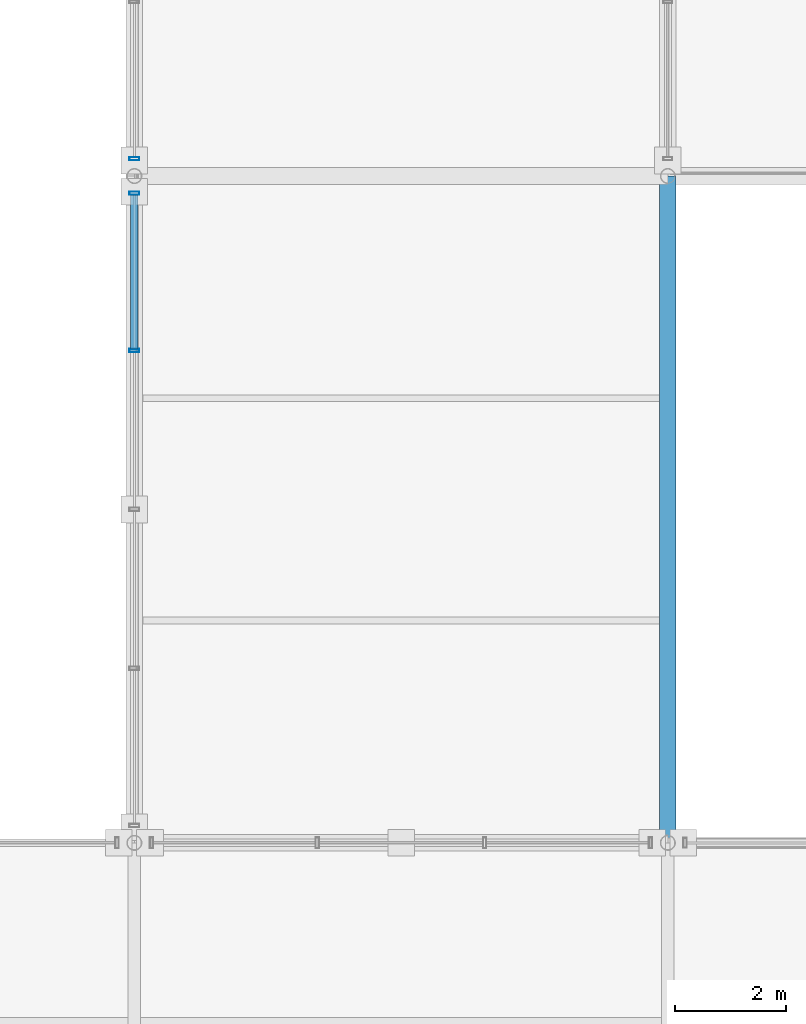
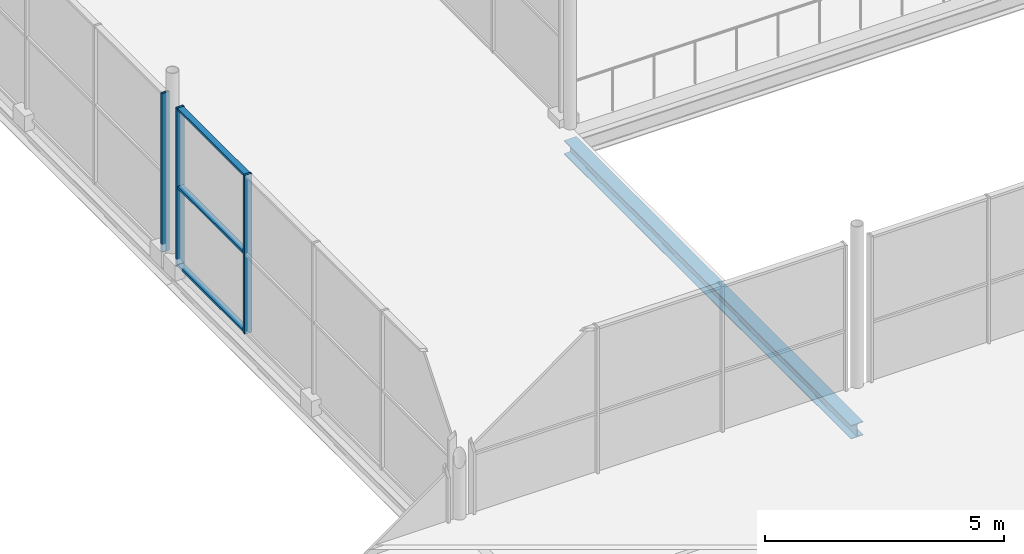
# One storey, part 46 of 159: 6 members, 1 beam, 2 elements without a shape of their own.
"""IFC4 building model written with IfcOpenShell, lengths in metres."""

import ifcopenshell
import ifcopenshell.guid

model = None  # the IFC model being written
_history = None  # IfcOwnerHistory: only IFC2X3 demands one
_inside = {}  # id of a spatial element -> (the spatial element, [elements in it])
_under = {}  # id of a project, library or spatial element -> (it, [spatial elements below it])
_declared = {}  # id of a project -> (the project, [libraries it declares])
_typed = {}  # id of a type object -> (the type object, [elements of that type])
_made_of = {}  # id of a material, layer set ... -> (it, [elements and type objects made of it])


def new_model(schema):
    """Start an empty IFC model of exactly this schema.

    Asked for "IFC4X3", IfcOpenShell would pick the latest addendum, in which some entities
    have other attributes; the version numbers below select the first issue.
    IFC2X3 requires an IfcOwnerHistory on every rooted entity: one is made here for all.
    """
    global model, _history
    if schema == "IFC4X3":
        model = ifcopenshell.file(schema_version=(4, 3, 0, 0))
    else:
        model = ifcopenshell.file(schema=schema)
    _inside.clear()
    _under.clear()
    _declared.clear()
    _typed.clear()
    _made_of.clear()
    _history = None
    if model.schema == "IFC2X3":
        org = make("IfcOrganization", Name="unknown")
        user = make(
            "IfcPersonAndOrganization",
            ThePerson=make("IfcPerson", FamilyName="unknown"),
            TheOrganization=org,
        )
        app = make(
            "IfcApplication",
            ApplicationDeveloper=org,
            Version="unknown",
            ApplicationFullName="unknown",
            ApplicationIdentifier="unknown",
        )
        _history = make(
            "IfcOwnerHistory",
            OwningUser=user,
            OwningApplication=app,
            ChangeAction="ADDED",
            CreationDate=0,
        )
    return model


def make(cls, **values):
    """One entity of the class cls with the attributes given. An attribute that is None is left unset."""
    return model.create_entity(
        cls, **{name: value for name, value in values.items() if value is not None}
    )


def rooted(cls, **values):
    """An entity with a GlobalId (a new one), such as an element, a storey or a relation."""
    return make(cls, GlobalId=ifcopenshell.guid.new(), OwnerHistory=_history, **values)


def si_unit(unit_type, name, prefix=None):
    """IfcSIUnit, for example si_unit("LENGTHUNIT", "METRE", prefix="MILLI")."""
    return make("IfcSIUnit", UnitType=unit_type, Prefix=prefix, Name=name)


def assignment(units):
    """IfcUnitAssignment: the units of a project."""
    return None if units is None else make("IfcUnitAssignment", Units=units)


def point(xyz):
    """IfcCartesianPoint."""
    return None if xyz is None else make("IfcCartesianPoint", Coordinates=xyz)


def direction(xyz):
    """IfcDirection."""
    return None if xyz is None else make("IfcDirection", DirectionRatios=xyz)


def frame(location, z_axis=None, x_axis=None):
    """IfcAxis2Placement3D, a coordinate frame: its origin and axes. An axis left out is left unset."""
    return make(
        "IfcAxis2Placement3D",
        Location=point(location),
        Axis=direction(z_axis),
        RefDirection=direction(x_axis),
    )


def frame_2d(location, x_axis=None):
    """IfcAxis2Placement2D, a coordinate frame in the plane: its origin and x axis."""
    return make(
        "IfcAxis2Placement2D", Location=point(location), RefDirection=direction(x_axis)
    )


def origin():
    """The frame at (0, 0, 0) with its axes left unset."""
    return frame((0.0, 0.0, 0.0))


def origin_2d():
    """The frame at (0, 0) in the plane with its x axis left unset."""
    return frame_2d((0.0, 0.0))


def place(relative_to, where):
    """IfcLocalPlacement: puts the frame where relative to a parent placement (None: the world)."""
    return make(
        "IfcLocalPlacement", PlacementRelTo=relative_to, RelativePlacement=where
    )


def context(
    kind, dimensions, precision=None, world=None, true_north=None, identifier=None
):
    """IfcGeometricRepresentationContext, for example the 3D "Model" context."""
    return make(
        "IfcGeometricRepresentationContext",
        ContextIdentifier=identifier,
        ContextType=kind,
        CoordinateSpaceDimension=dimensions,
        Precision=precision,
        WorldCoordinateSystem=world,
        TrueNorth=true_north,
    )


def subcontext(parent, identifier, kind, view, scale=None):
    """IfcGeometricRepresentationSubContext, for example "Body" below "Model"."""
    return make(
        "IfcGeometricRepresentationSubContext",
        ContextIdentifier=identifier,
        ContextType=kind,
        ParentContext=parent,
        TargetScale=scale,
        TargetView=view,
    )


def project(units=None, contexts=None):
    """IfcProject with its units and contexts."""
    return rooted(
        "IfcProject",
        Name="project",
        RepresentationContexts=contexts,
        UnitsInContext=assignment(units),
    )


def spatial(cls, under=None, at=None, **own):
    """A site, building, storey or space (cls), placed at a placement, below another one or the project."""
    s = rooted(cls, ObjectPlacement=at, **own)
    if under is not None:
        _under.setdefault(under.id(), (under, []))[1].append(s)
    return s


def profile(cls, at=None, kind="AREA", **sizes):
    """A parametric profile (cls). Its sizes go by their IFC names, for example OverallWidth=200.0."""
    return make(cls, ProfileType=kind, Position=at, **sizes)


def hollow_rectangle(**sizes):
    """IfcRectangleHollowProfileDef."""
    return profile("IfcRectangleHollowProfileDef", **sizes)


def i_section(**sizes):
    """IfcIShapeProfileDef."""
    return profile("IfcIShapeProfileDef", **sizes)


def extrude(swept, where, along, depth):
    """IfcExtrudedAreaSolid: the profile swept, set in the frame where, extruded along a direction by depth."""
    return make(
        "IfcExtrudedAreaSolid",
        SweptArea=swept,
        Position=where,
        ExtrudedDirection=direction(along),
        Depth=depth,
    )


def shape(context_of_items, identifier, shape_type, items):
    """IfcShapeRepresentation: the items that make up one representation, for example the "Body"."""
    return make(
        "IfcShapeRepresentation",
        ContextOfItems=context_of_items,
        RepresentationIdentifier=identifier,
        RepresentationType=shape_type,
        Items=items,
    )


def material(Name=None, Category=None):
    """IfcMaterial."""
    return make("IfcMaterial", Name=Name, Category=Category)


def material_profile(
    of_material, cross_section, Name=None, Category=None, Priority=None
):
    """IfcMaterialProfile: a cross section and its material."""
    return make(
        "IfcMaterialProfile",
        Name=Name,
        Material=of_material,
        Profile=cross_section,
        Priority=Priority,
        Category=Category,
    )


def profile_set(profiles, Name=None, composite=None):
    """IfcMaterialProfileSet."""
    return make(
        "IfcMaterialProfileSet",
        Name=Name,
        MaterialProfiles=profiles,
        CompositeProfile=composite,
    )


def made_of(thing, what):
    """Note that an element or type object is made of a material, layer set ...; save() writes the relation."""
    if what is not None:
        _made_of.setdefault(what.id(), (what, []))[1].append(thing)
    return thing


def type_object(cls, material=None, **own):
    """A type object (cls), such as IfcWallType, which elements share."""
    return made_of(rooted(cls, **own), material)


def element(
    cls,
    number,
    at=None,
    inside=None,
    cuts=None,
    type_object=None,
    material=None,
    context=None,
    identifier="Body",
    shape_type=None,
    held_by="IfcProductDefinitionShape",
    body=None,
    shapes=None,
    **own,
):
    """One element of the class cls, such as IfcWall. Its Tag is "e" and its number.

    at: its placement. inside: the storey or other place that contains it. cuts: it is an
    opening in that element (IfcRelVoidsElement). A single representation is given by context,
    identifier, shape_type and body (its items); several are given by shapes. held_by: the class
    of the entity that holds the representations. save() writes the other relations.
    """
    e = rooted(cls, Tag="e%d" % number, ObjectPlacement=at, **own)
    if body is not None:
        shapes = [shape(context, identifier, shape_type, body)]
    if shapes is not None:
        e.Representation = make(held_by, Representations=shapes)
    if inside is not None:
        _inside.setdefault(inside.id(), (inside, []))[1].append(e)
    if cuts is not None:
        rooted(
            "IfcRelVoidsElement", RelatingBuildingElement=cuts, RelatedOpeningElement=e
        )
    if type_object is not None:
        _typed.setdefault(type_object.id(), (type_object, []))[1].append(e)
    return made_of(e, material)


def aggregate(whole, parts):
    """IfcRelAggregates: a whole, such as a stair, and the parts it consists of."""
    return rooted("IfcRelAggregates", RelatingObject=whole, RelatedObjects=parts)


def save(model, path):
    """Write the relations noted so far, then the file.

    IfcRelAggregates (storeys below a building ...), IfcRelContainedInSpatialStructure (elements
    in a storey), IfcRelDefinesByType, IfcRelAssociatesMaterial and IfcRelDeclares: one each for
    every whole, place, type object, material and project.
    """
    for whole, parts in _under.values():
        aggregate(whole, parts)
    for where, things in _inside.values():
        rooted(
            "IfcRelContainedInSpatialStructure",
            RelatedElements=things,
            RelatingStructure=where,
        )
    for kind, things in _typed.values():
        rooted("IfcRelDefinesByType", RelatedObjects=things, RelatingType=kind)
    for what, things in _made_of.values():
        rooted("IfcRelAssociatesMaterial", RelatedObjects=things, RelatingMaterial=what)
    for by, libraries in _declared.values():
        rooted("IfcRelDeclares", RelatingContext=by, RelatedDefinitions=libraries)
    model.write(path)


model = new_model("IFC4")

# Units and contexts
model_context = context("Model", 3, precision=1e-05, world=origin(), true_north=direction((0.0, 1.0)))
body_context = subcontext(model_context, "Body", "Model", "MODEL_VIEW")
ifc_project = project(units=[si_unit("LENGTHUNIT", "METRE"), si_unit("AREAUNIT", "SQUARE_METRE"), si_unit("VOLUMEUNIT", "CUBIC_METRE"), si_unit("PLANEANGLEUNIT", "RADIAN"), si_unit("MASSUNIT", "GRAM", prefix="KILO")], contexts=[model_context])

# Site, building, storey
site_placement = place(None, origin())
site = spatial("IfcSite", under=ifc_project, at=site_placement, CompositionType="ELEMENT")
building_placement = place(site_placement, origin())
building = spatial("IfcBuilding", under=site, at=building_placement, Name="Merenkruunu Market Hall", CompositionType="ELEMENT")
storey_placement = place(building_placement, frame((0.0, 0.0, 5.39990234375)))
storey = spatial("IfcBuildingStorey", under=building, at=storey_placement, Name="L01", CompositionType="ELEMENT", Elevation=5.39990234375)

# Curtain wall, members
ifc_material_1 = material(Name="Powder-coated aluminium", Category="aluminium")
curtain_wall_type = type_object("IfcCurtainWallType", Name="Glazed Curtain Wall CW16", PredefinedType="USERDEFINED", material=ifc_material_1)
curtain_wall_1_placement = place(storey_placement, origin())
curtain_wall_1 = element("IfcCurtainWall", 1, at=curtain_wall_1_placement, inside=storey, type_object=curtain_wall_type, Name="CW-L01-CWM02-169", ObjectType="GLAZED_FACADE", PredefinedType="USERDEFINED")
ifc_material_profile_1 = material_profile(ifc_material_1, hollow_rectangle(XDim=0.06005859375, YDim=0.179931640625, WallThickness=0.00390625, at=origin_2d()), Name="ALU 60x180x4")
ifc_profile_set_1 = profile_set([ifc_material_profile_1], Name="Powder-coated aluminium")
member_type_1 = type_object("IfcMemberType", Name="Curtain Wall Mullion CWM02", PredefinedType="MULLION", material=ifc_profile_set_1)
member_1_placement = place(storey_placement, frame((67.199951171875, 24.4599609375, 0.0), z_axis=(0.0, 0.0, 1.0), x_axis=(0.0, 1.0, 0.0)))
member_1 = element("IfcMember", 2, at=member_1_placement, type_object=member_type_1, Name="CW16 mullion 4", PredefinedType="MULLION", context=body_context, shape_type="SweptSolid", body=[
    extrude(hollow_rectangle(XDim=0.06005859375, YDim=0.179931640625, WallThickness=0.00390625, at=origin_2d()), origin(), (0.0, 0.0, 1.0), 4.050048828125),
])
member_2_placement = place(storey_placement, frame((67.199951171875, 27.2900390625, 0.0), z_axis=(0.0, 0.0, 1.0), x_axis=(0.0, 1.0, 0.0)))
member_2 = element("IfcMember", 3, at=member_2_placement, type_object=member_type_1, Name="CW16 mullion 5", PredefinedType="MULLION", context=body_context, shape_type="SweptSolid", body=[
    extrude(hollow_rectangle(XDim=0.06005859375, YDim=0.179931640625, WallThickness=0.00390625, at=origin_2d()), origin(), (0.0, 0.0, 1.0), 4.050048828125),
])

# Curtain wall, member
curtain_wall_2_placement = place(storey_placement, origin())
curtain_wall_2 = element("IfcCurtainWall", 4, at=curtain_wall_2_placement, inside=storey, type_object=curtain_wall_type, Name="CW-L01-CWM02-171", ObjectType="GLAZED_FACADE", PredefinedType="USERDEFINED")
member_3_placement = place(storey_placement, frame((67.199951171875, 27.909912109375, 0.0), z_axis=(0.0, 0.0, 1.0), x_axis=(0.0, 1.0, 0.0)))
member_3 = element("IfcMember", 5, at=member_3_placement, type_object=member_type_1, Name="CW16 mullion 1", PredefinedType="MULLION", context=body_context, shape_type="SweptSolid", body=[
    extrude(hollow_rectangle(XDim=0.06005859375, YDim=0.179931640625, WallThickness=0.00390625, at=origin_2d()), origin(), (0.0, 0.0, 1.0), 4.050048828125),
])
aggregate(curtain_wall_2, [member_3])

# Member
ifc_material_profile_2 = material_profile(ifc_material_1, hollow_rectangle(XDim=0.06005859375, YDim=0.139892578125, WallThickness=0.00390625, at=origin_2d()), Name="ALU 60x140x4")
ifc_profile_set_2 = profile_set([ifc_material_profile_2], Name="Powder-coated aluminium")
member_type_2 = type_object("IfcMemberType", Name="Curtain Wall Transom CWT02", PredefinedType="USERDEFINED", material=ifc_profile_set_2)
member_4_placement = place(storey_placement, frame((67.199951171875, 24.489990234375, 0.030029296875), z_axis=(0.0, 1.0, 0.0), x_axis=(0.0, 0.0, 1.0)))
member_4 = element("IfcMember", 6, at=member_4_placement, type_object=member_type_2, Name="CW16 transom 4.1", ObjectType="TRANSOM", PredefinedType="USERDEFINED", context=body_context, shape_type="SweptSolid", body=[
    extrude(hollow_rectangle(XDim=0.06005859375, YDim=0.139892578125, WallThickness=0.00390625, at=origin_2d()), origin(), (0.0, 0.0, 1.0), 2.77001953125),
])

member_5_placement = place(storey_placement, frame((67.199951171875, 24.489990234375, 2.025146484375), z_axis=(0.0, 1.0, 0.0), x_axis=(0.0, 0.0, 1.0)))
member_5 = element("IfcMember", 7, at=member_5_placement, type_object=member_type_2, Name="CW16 transom 4.2", ObjectType="TRANSOM", PredefinedType="USERDEFINED", context=body_context, shape_type="SweptSolid", body=[
    extrude(hollow_rectangle(XDim=0.06005859375, YDim=0.139892578125, WallThickness=0.00390625, at=origin_2d()), origin(), (0.0, 0.0, 1.0), 2.77001953125),
])

member_6_placement = place(storey_placement, frame((67.199951171875, 24.489990234375, 4.02001953125), z_axis=(0.0, 1.0, 0.0), x_axis=(0.0, 0.0, 1.0)))
member_6 = element("IfcMember", 8, at=member_6_placement, type_object=member_type_2, Name="CW16 transom 4.3", ObjectType="TRANSOM", PredefinedType="USERDEFINED", context=body_context, shape_type="SweptSolid", body=[
    extrude(hollow_rectangle(XDim=0.06005859375, YDim=0.139892578125, WallThickness=0.00390625, at=origin_2d()), origin(), (0.0, 0.0, 1.0), 2.77001953125),
])

aggregate(curtain_wall_1, [member_1, member_2, member_4, member_5, member_6])

# Beam
ifc_material_2 = material(Name="Steel S355J2", Category="steel")
ifc_material_profile_3 = material_profile(ifc_material_2, i_section(OverallWidth=0.300048828125, OverallDepth=0.35009765625, WebThickness=0.010009765625, FlangeThickness=0.017578125, FilletRadius=0.027099609375, at=origin_2d()), Name="HEA 360")
ifc_profile_set_3 = profile_set([ifc_material_profile_3], Name="Steel S355J2")
beam_type = type_object("IfcBeamType", Name="Primary Floor Girder B08", PredefinedType="BEAM", material=ifc_profile_set_3)
beam_placement = place(storey_placement, frame((76.800048828125, 15.60009765625, -0.48486328125), z_axis=(0.0, 1.0, 0.0), x_axis=(-1.0, 0.0, 0.0)))
element("IfcBeam", 9, at=beam_placement, inside=storey, type_object=beam_type, Name="BM-L01-B08-0597", PredefinedType="BEAM", context=body_context, shape_type="SweptSolid", body=[
    extrude(i_section(OverallWidth=0.300048828125, OverallDepth=0.35009765625, WebThickness=0.010009765625, FlangeThickness=0.017578125, FilletRadius=0.027099609375, at=origin_2d()), origin(), (0.0, 0.0, 1.0), 12.0),
])

save(model, "model.ifc")
